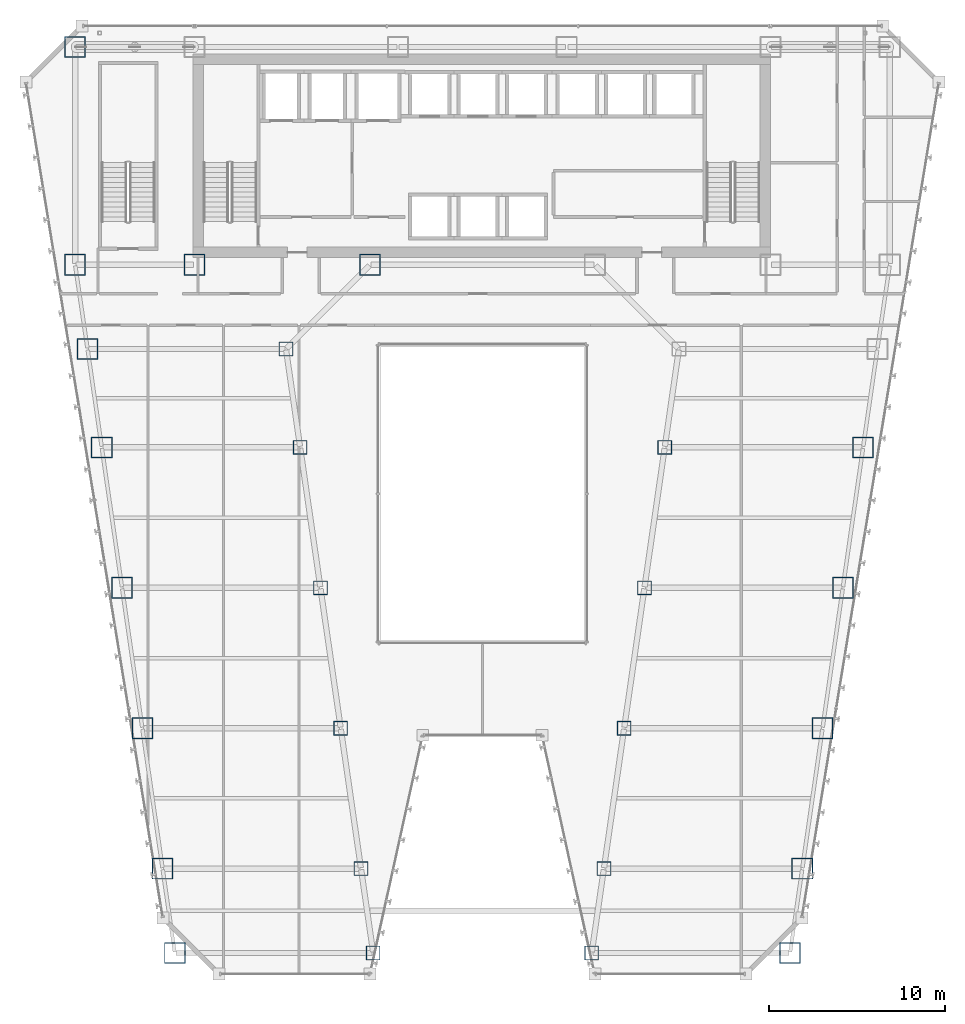
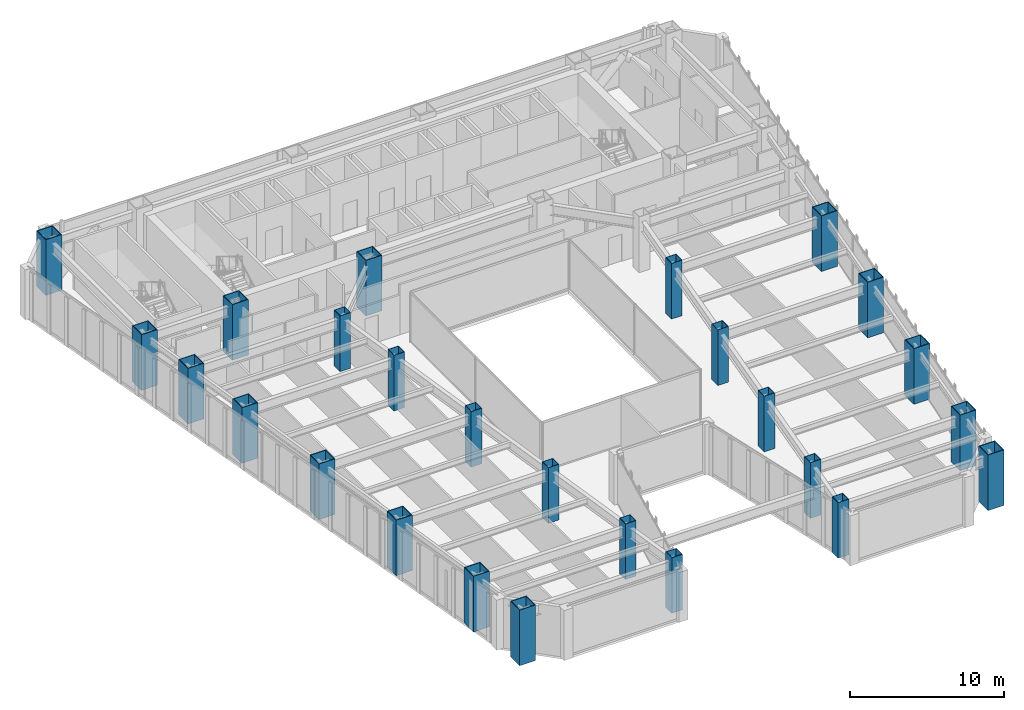
# One storey, part 1 of 47: 26 columns.
"""IFC4 building model written with IfcOpenShell, lengths in metres."""

from ifc_helpers import new_model, si_unit, direction, frame, origin, origin_2d, place, context, subcontext, project, spatial, hollow_rectangle, extrude, material, material_profile, profile_set, type_object, element, save


model = new_model("IFC4")

# Units and contexts
model_context = context("Model", 3, precision=1e-05, world=origin(), true_north=direction((0.0, 1.0)))
body_context = subcontext(model_context, "Body", "Model", "MODEL_VIEW")
ifc_project = project(units=[si_unit("LENGTHUNIT", "METRE"), si_unit("AREAUNIT", "SQUARE_METRE"), si_unit("VOLUMEUNIT", "CUBIC_METRE"), si_unit("PLANEANGLEUNIT", "RADIAN"), si_unit("MASSUNIT", "GRAM", prefix="KILO")], contexts=[model_context])

# Site, building, storey
site_placement = place(None, origin())
site = spatial("IfcSite", under=ifc_project, at=site_placement, CompositionType="ELEMENT")
building_placement = place(site_placement, origin())
building = spatial("IfcBuilding", under=site, at=building_placement, Name="Saevonmaru Cultural Tower", CompositionType="ELEMENT")
storey_placement = place(building_placement, frame((0.0, 0.0, 82.39990234375)))
storey = spatial("IfcBuildingStorey", under=building, at=storey_placement, Name="L17", CompositionType="ELEMENT", Elevation=82.39990234375)

# Columns
ifc_material_1 = material(Name="Steel HSA600 (600 MPa)", Category="steel")
ifc_material_profile_1 = material_profile(ifc_material_1, hollow_rectangle(XDim=1.199951171875, YDim=1.199951171875, WallThickness=0.054931640625, at=origin_2d()), Name="BOX-1200x1200x55")
ifc_profile_set_1 = profile_set([ifc_material_profile_1], Name="Steel HSA600 (600 MPa)")
column_type_1 = type_object("IfcColumnType", Name="COL-BOX-1200", PredefinedType="COLUMN", material=ifc_profile_set_1)
for number, where, z_axis, x_axis, name in (
    (1, (6.800048828125, 54.800048828125, 0.0), (0.0, 0.0, 1.0), (1.0, 0.0, 0.0), "L17 Column TC-N1N"),
    (2, (6.800048828125, 42.39990234375, 0.0), (0.0, 0.0, 1.0), (1.0, 0.0, 0.0), "L17 Column TC-S1C"),
    (3, (13.60009765625, 42.39990234375, 0.0), (0.0, 0.0, 1.0), (1.0, 0.0, 0.0), "L17 Column TC-S2C"),
    (4, (23.60009765625, 42.39990234375, 0.0), (0.0, 0.0, 1.0), (1.0, 0.0, 0.0), "L17 Column TC-S3C"),
    (5, (12.47705078125, 3.199951171875, 0.0), (0.0, 0.0, 1.0), (1.0, 0.0, 0.0), "L17 Column TC-WO-Y032"),
    (6, (47.52294921875, 3.199951171875, 0.0), (0.0, 0.0, 1.0), (1.0, 0.0, 0.0), "L17 Column TC-EO-Y032"),
    (7, (11.782958984375, 8.0, 0.0), (0.0, 0.0, 1.0), (1.0, 0.0, 0.0), "L17 Column TC-WO-Y080"),
    (8, (48.217041015625, 8.0, 0.0), (0.0, 0.0, 1.0), (1.0, 0.0, 0.0), "L17 Column TC-EO-Y080"),
    (9, (10.6279296875, 16.0, 0.0), (0.0, 0.0, 1.0), (1.0, 0.0, 0.0), "L17 Column TC-WO-Y160"),
    (10, (49.3720703125, 16.0, 0.0), (0.0, 0.0, 1.0), (1.0, 0.0, 0.0), "L17 Column TC-EO-Y160"),
    (11, (9.471923828125, 24.0, 0.0), (0.0, 0.0, 1.0), (1.0, 0.0, 0.0), "L17 Column TC-WO-Y240"),
    (12, (50.528076171875, 24.0, 0.0), (0.0, 0.0, 1.0), (1.0, 0.0, 0.0), "L17 Column TC-EO-Y240"),
    (13, (8.31689453125, 32.0, 0.0), (0.0, 0.0, 1.0), (1.0, 0.0, 0.0), "L17 Column TC-WO-Y320"),
    (14, (51.68310546875, 32.0, 0.0), (0.0, 0.0, 1.0), (1.0, 0.0, 0.0), "L17 Column TC-EO-Y320"),
    (15, (7.508056640625, 37.60009765625, 0.0), (0.0, 0.0, 1.0), (1.0, 0.0, 0.0), "L17 Column TC-WO-Y376"),
):
    element("IfcColumn", number, at=place(storey_placement, frame(where, z_axis=z_axis, x_axis=x_axis)), inside=storey, type_object=column_type_1, Name=name, PredefinedType="COLUMN", context=body_context, shape_type="SweptSolid", body=[
        extrude(hollow_rectangle(XDim=1.199951171875, YDim=1.199951171875, WallThickness=0.054931640625, at=origin_2d()), origin(), (0.0, 0.0, 1.0), 4.400146484375),
    ])
ifc_material_2 = material(Name="Steel SM420", Category="steel")
ifc_material_profile_2 = material_profile(ifc_material_2, hollow_rectangle(XDim=0.800048828125, YDim=0.800048828125, WallThickness=0.035888671875, at=origin_2d()), Name="BOX-800x800x36")
ifc_profile_set_2 = profile_set([ifc_material_profile_2], Name="Steel SM420")
column_type_2 = type_object("IfcColumnType", Name="COL-BOX-800", PredefinedType="COLUMN", material=ifc_profile_set_2)
for number, where, z_axis, x_axis, name in (
    (16, (23.777099609375, 3.199951171875, 0.0), (0.0, 0.0, 1.0), (1.0, 0.0, 0.0), "L17 Column TC-WI-Y032"),
    (17, (36.222900390625, 3.199951171875, 0.0), (0.0, 0.0, 1.0), (1.0, 0.0, 0.0), "L17 Column TC-EI-Y032"),
    (18, (23.0830078125, 8.0, 0.0), (0.0, 0.0, 1.0), (1.0, 0.0, 0.0), "L17 Column TC-WI-Y080"),
    (19, (36.9169921875, 8.0, 0.0), (0.0, 0.0, 1.0), (1.0, 0.0, 0.0), "L17 Column TC-EI-Y080"),
    (20, (21.927978515625, 16.0, 0.0), (0.0, 0.0, 1.0), (1.0, 0.0, 0.0), "L17 Column TC-WI-Y160"),
    (21, (38.072021484375, 16.0, 0.0), (0.0, 0.0, 1.0), (1.0, 0.0, 0.0), "L17 Column TC-EI-Y160"),
    (22, (20.77197265625, 24.0, 0.0), (0.0, 0.0, 1.0), (1.0, 0.0, 0.0), "L17 Column TC-WI-Y240"),
    (23, (39.22802734375, 24.0, 0.0), (0.0, 0.0, 1.0), (1.0, 0.0, 0.0), "L17 Column TC-EI-Y240"),
    (24, (19.616943359375, 32.0, 0.0), (0.0, 0.0, 1.0), (1.0, 0.0, 0.0), "L17 Column TC-WI-Y320"),
    (25, (40.383056640625, 32.0, 0.0), (0.0, 0.0, 1.0), (1.0, 0.0, 0.0), "L17 Column TC-EI-Y320"),
    (26, (18.80810546875, 37.60009765625, 0.0), (0.0, 0.0, 1.0), (1.0, 0.0, 0.0), "L17 Column TC-WI-Y376"),
):
    element("IfcColumn", number, at=place(storey_placement, frame(where, z_axis=z_axis, x_axis=x_axis)), inside=storey, type_object=column_type_2, Name=name, PredefinedType="COLUMN", context=body_context, shape_type="SweptSolid", body=[
        extrude(hollow_rectangle(XDim=0.800048828125, YDim=0.800048828125, WallThickness=0.035888671875, at=origin_2d()), origin(), (0.0, 0.0, 1.0), 4.400146484375),
    ])

save(model, "model.ifc")
